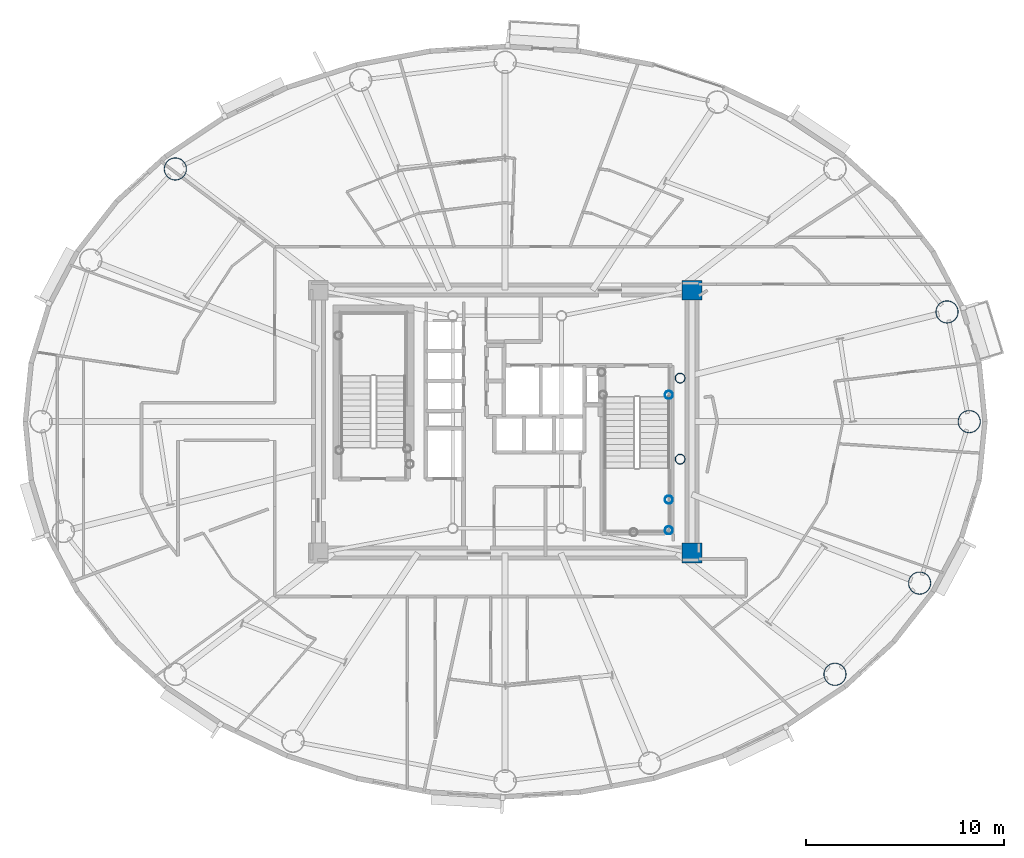
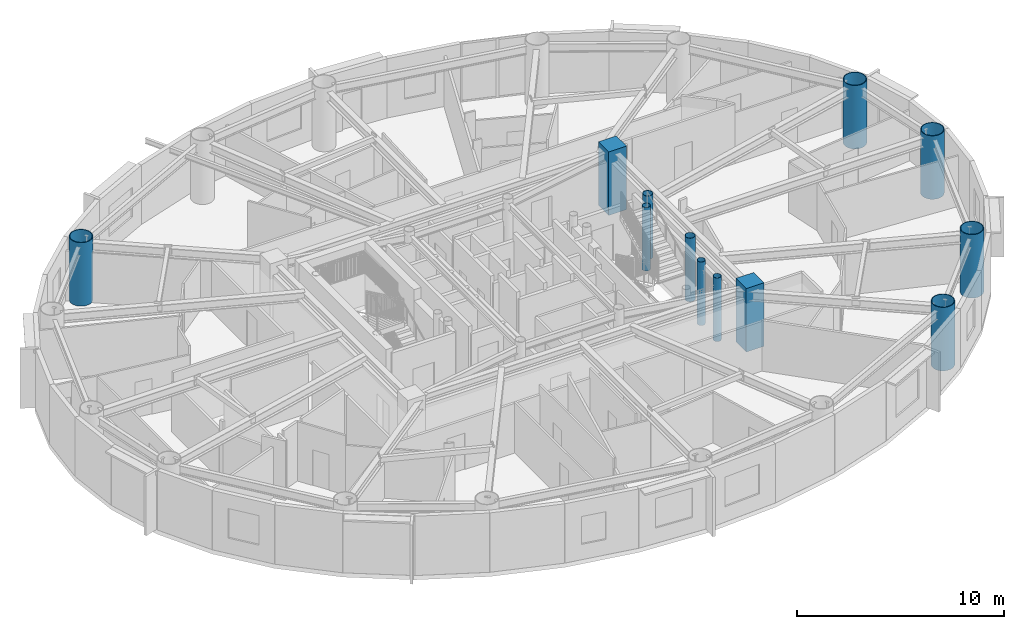
# One storey, part 2 of 22: 12 columns.
"""IFC4 building model written with IfcOpenShell, lengths in metres."""

from ifc_helpers import new_model, si_unit, direction, frame, origin, origin_2d, place, context, subcontext, project, spatial, rectangle, hollow_circle, extrude, material, material_profile, profile_set, type_object, element, save


model = new_model("IFC4")

# Units and contexts
model_context = context("Model", 3, precision=1e-05, world=origin(), true_north=direction((0.0, 1.0)))
body_context = subcontext(model_context, "Body", "Model", "MODEL_VIEW")
ifc_project = project(units=[si_unit("LENGTHUNIT", "METRE"), si_unit("AREAUNIT", "SQUARE_METRE"), si_unit("VOLUMEUNIT", "CUBIC_METRE"), si_unit("PLANEANGLEUNIT", "RADIAN"), si_unit("MASSUNIT", "GRAM", prefix="KILO")], contexts=[model_context])

# Site, building, storey
site_placement = place(None, origin())
site = spatial("IfcSite", under=ifc_project, at=site_placement, CompositionType="ELEMENT")
building_placement = place(site_placement, origin())
building = spatial("IfcBuilding", under=site, at=building_placement, Name="Linh Dai School and Residence Tower", CompositionType="ELEMENT")
storey_placement = place(building_placement, frame((0.0, 0.0, 214.050048828125)))
storey = spatial("IfcBuildingStorey", under=building, at=storey_placement, Name="L52", CompositionType="ELEMENT", Elevation=214.050048828125)

# Columns
ifc_material_1 = material(Name="Concrete B45 (C35/45)", Category="concrete")
ifc_material_profile_1 = material_profile(ifc_material_1, rectangle(XDim=1.0, YDim=1.0, at=origin_2d()), Name="RC 1000x1000")
ifc_profile_set_1 = profile_set([ifc_material_profile_1], Name="Concrete B45 (C35/45)")
column_type_1 = type_object("IfcColumnType", Name="COL-CC3", PredefinedType="COLUMN", material=ifc_profile_set_1)
for number, where, z_axis, x_axis, name in (
    (1, (45.449951171875, 20.35009765625, 0.0), (0.0, 0.0, 1.0), (1.0, 0.0, 0.0), "L52 Core Corner Pier CC2"),
    (2, (45.449951171875, 33.64990234375, 0.0), (0.0, 0.0, 1.0), (1.0, 0.0, 0.0), "L52 Core Corner Pier CC3"),
):
    element("IfcColumn", number, at=place(storey_placement, frame(where, z_axis=z_axis, x_axis=x_axis)), inside=storey, type_object=column_type_1, Name=name, PredefinedType="COLUMN", context=body_context, shape_type="SweptSolid", body=[
        extrude(rectangle(XDim=1.0, YDim=1.0, at=origin_2d()), origin(), (0.0, 0.0, 1.0), 3.75),
    ])
ifc_material_2 = material(Name="Structural Steel S355JR", Category="steel")
ifc_material_profile_2 = material_profile(ifc_material_2, hollow_circle(Radius=0.203125, WallThickness=0.01611328125, at=origin_2d()), Name="CHS 406.4x16")
ifc_profile_set_2 = profile_set([ifc_material_profile_2], Name="Structural Steel S355JR")
column_type_2 = type_object("IfcColumnType", Name="COL-EC", PredefinedType="COLUMN", material=ifc_profile_set_2)
for number, where, z_axis, x_axis, name in (
    (3, (44.280029296875, 21.5, 0.0), (0.0, 0.0, 1.0), (1.0, 0.0, 0.0), "L52 Stair Shaft Landing Support Pier ST2SE"),
    (4, (44.280029296875, 23.050048828125, 0.0), (0.0, 0.0, 1.0), (1.0, 0.0, 0.0), "L52 Stair Shaft Landing Support Pier ST2NE"),
    (5, (44.280029296875, 28.35009765625, 0.0), (0.0, 0.0, 1.0), (1.0, 0.0, 0.0), "L52 Stair Shaft Landing Support Pier ST2N2"),
):
    element("IfcColumn", number, at=place(storey_placement, frame(where, z_axis=z_axis, x_axis=x_axis)), inside=storey, type_object=column_type_2, Name=name, PredefinedType="COLUMN", context=body_context, shape_type="SweptSolid", body=[
        extrude(hollow_circle(Radius=0.203125, WallThickness=0.01611328125, at=origin_2d()), origin(), (0.0, 0.0, 1.0), 3.75),
    ])
ifc_material_profile_3 = material_profile(ifc_material_2, hollow_circle(Radius=0.574951171875, WallThickness=0.035888671875, at=origin_2d()), Name="CHS 1150x36")
ifc_profile_set_3 = profile_set([ifc_material_profile_3], Name="Structural Steel S355JR")
column_type_3 = type_object("IfcColumnType", Name="COL-MC5", PredefinedType="COLUMN", material=ifc_profile_set_3)
for number, where, z_axis, x_axis, name in (
    (6, (59.47509765625, 27.0, 0.0), (0.0, 0.0, 1.0), (1.0, 0.0, 0.0), "L52 Perimeter CFT Mega-Column MC01"),
    (7, (58.351318359375, 32.54931640625, 0.0), (0.0, 0.0, 1.0), (1.0, 0.0, 0.0), "L52 Perimeter CFT Mega-Column MC02"),
    (8, (19.31689453125, 39.781005859375, 0.0), (0.0, 0.0, 1.0), (1.0, 0.0, 0.0), "L52 Perimeter CFT Mega-Column MC07"),
    (9, (52.68310546875, 14.218994140625, 0.0), (0.0, 0.0, 1.0), (1.0, 0.0, 0.0), "L52 Perimeter CFT Mega-Column MC15"),
    (10, (56.96533203125, 18.8310546875, 0.0), (0.0, 0.0, 1.0), (1.0, 0.0, 0.0), "L52 Perimeter CFT Mega-Column MC16"),
):
    element("IfcColumn", number, at=place(storey_placement, frame(where, z_axis=z_axis, x_axis=x_axis)), inside=storey, type_object=column_type_3, Name=name, PredefinedType="COLUMN", context=body_context, shape_type="SweptSolid", body=[
        extrude(hollow_circle(Radius=0.574951171875, WallThickness=0.035888671875, at=origin_2d()), origin(), (0.0, 0.0, 1.0), 3.75),
    ])
ifc_material_profile_4 = material_profile(ifc_material_2, hollow_circle(Radius=0.25390625, WallThickness=0.02001953125, at=origin_2d()), Name="CHS 508x20")
ifc_profile_set_4 = profile_set([ifc_material_profile_4], Name="Structural Steel S355JR")
column_type_4 = type_object("IfcColumnType", Name="COL-MCP", PredefinedType="COLUMN", material=ifc_profile_set_4)
for number, where, z_axis, x_axis, name in (
    (11, (44.85009765625, 25.10009765625, 0.0), (0.0, 0.0, 1.0), (1.0, 0.0, 0.0), "L52 Sky-Lounge Core Anchor Pier S"),
    (12, (44.85009765625, 29.199951171875, 0.0), (0.0, 0.0, 1.0), (1.0, 0.0, 0.0), "L52 Sky-Lounge Core Anchor Pier N"),
):
    element("IfcColumn", number, at=place(storey_placement, frame(where, z_axis=z_axis, x_axis=x_axis)), inside=storey, type_object=column_type_4, Name=name, PredefinedType="COLUMN", context=body_context, shape_type="SweptSolid", body=[
        extrude(hollow_circle(Radius=0.25390625, WallThickness=0.02001953125, at=origin_2d()), origin(), (0.0, 0.0, 1.0), 3.75),
    ])

save(model, "model.ifc")
